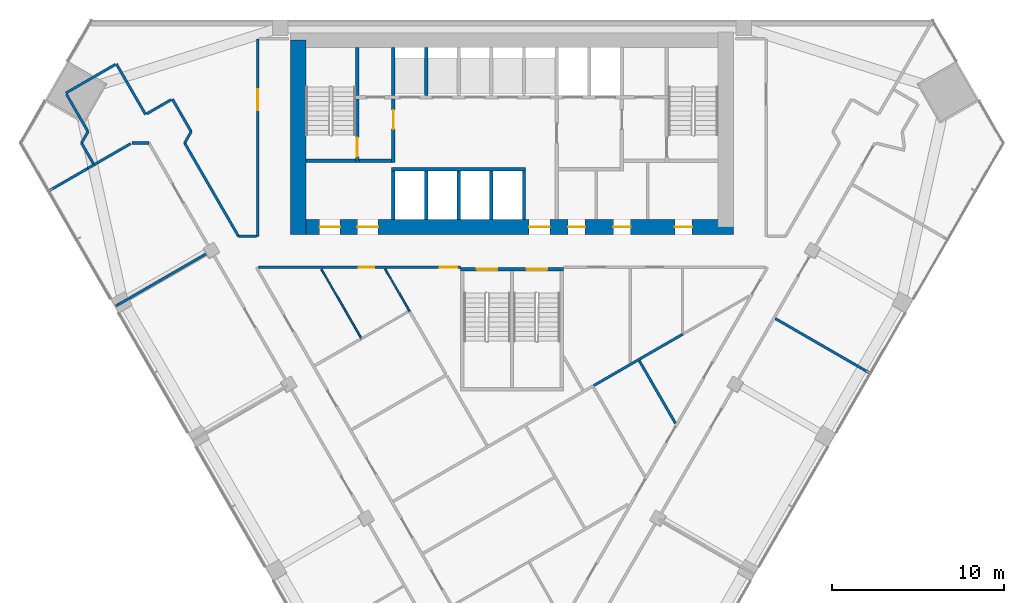
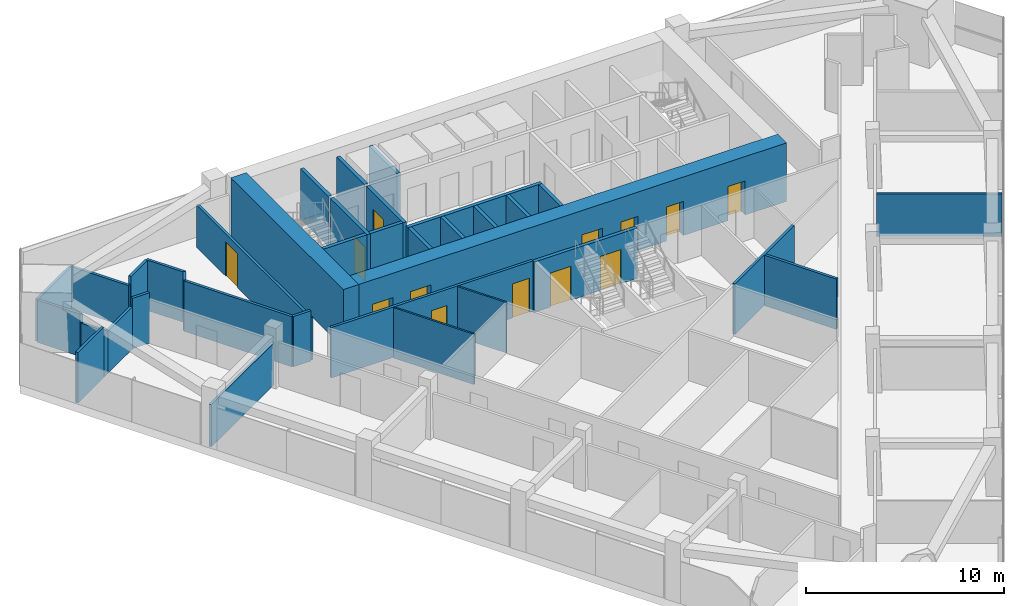
# One storey, part 10 of 14: 38 walls, 13 doors, 13 openings.
"""IFC4 building model written with IfcOpenShell, lengths in metres."""

from ifc_helpers import new_model, si_unit, direction, frame, frame_2d, origin, place, context, subcontext, project, spatial, rectangle, extrude, material, layer, layer_set, type_object, element, fill, save


model = new_model("IFC4")

# Units and contexts
model_context = context("Model", 3, precision=1e-05, world=origin(), true_north=direction((0.0, 1.0)))
body_context = subcontext(model_context, "Body", "Model", "MODEL_VIEW")
ifc_project = project(units=[si_unit("LENGTHUNIT", "METRE"), si_unit("AREAUNIT", "SQUARE_METRE"), si_unit("VOLUMEUNIT", "CUBIC_METRE"), si_unit("PLANEANGLEUNIT", "RADIAN"), si_unit("MASSUNIT", "GRAM", prefix="KILO")], contexts=[model_context])

# Site, building, storey
site_placement = place(None, origin())
site = spatial("IfcSite", under=ifc_project, at=site_placement, CompositionType="ELEMENT")
building_placement = place(site_placement, origin())
building = spatial("IfcBuilding", under=site, at=building_placement, Name="Altiplano Prism Tower", CompositionType="ELEMENT")
storey_placement = place(building_placement, frame((0.0, 0.0, 108.0)))
storey = spatial("IfcBuildingStorey", under=building, at=storey_placement, Name="L27", CompositionType="ELEMENT", Elevation=108.0)

# Wall, openings, doors
ifc_material_1 = material(Name="Concrete C70/85", Category="concrete")
ifc_layer_1 = layer(ifc_material_1, 0.89990234375)
ifc_layer_set_1 = layer_set([ifc_layer_1], Name="Concrete C70/85")
wall_type_1 = type_object("IfcWallType", Name="Core wall 900", PredefinedType="SHEAR", material=ifc_layer_set_1)
wall_1_placement = place(storey_placement, frame((72.550048828125, 92.949951171875, 0.0), z_axis=(0.0, 0.0, 1.0), x_axis=(1.0, 0.0, 0.0)))
wall_1 = element("IfcWall", 1, at=wall_1_placement, inside=storey, type_object=wall_type_1, Name="Core wall S L27", PredefinedType="SHEAR", context=body_context, shape_type="SweptSolid", body=[
    extrude(rectangle(XDim=25.349853515625, YDim=0.89990234375, at=frame_2d((12.6748046875, 0.0))), origin(), (0.0, 0.0, 1.0), 3.60009765625),
])
opening_1_placement = place(wall_1_placement, frame((1.25, 0.0, 0.0)))
opening_1 = element("IfcOpeningElement", 2, at=opening_1_placement, cuts=wall_1, Name="Opening D2951", PredefinedType="OPENING", context=body_context, shape_type="SweptSolid", body=[
    extrude(rectangle(XDim=1.199951171875, YDim=2.10009765625, at=frame_2d((0.60009765625, 1.050048828125))), frame((0.0, 0.46044921875, 0.0), z_axis=(0.0, -1.0, 0.0), x_axis=(1.0, 0.0, 0.0)), (0.0, 0.0, 1.0), 0.9208984375),
])
opening_2_placement = place(wall_1_placement, frame((3.449951171875, 0.0, 0.0)))
opening_2 = element("IfcOpeningElement", 3, at=opening_2_placement, cuts=wall_1, Name="Opening D2952", PredefinedType="OPENING", context=body_context, shape_type="SweptSolid", body=[
    extrude(rectangle(XDim=1.199951171875, YDim=2.10009765625, at=frame_2d((0.60009765625, 1.050048828125))), frame((0.0, 0.46044921875, 0.0), z_axis=(0.0, -1.0, 0.0), x_axis=(1.0, 0.0, 0.0)), (0.0, 0.0, 1.0), 0.9208984375),
])
opening_3_placement = place(wall_1_placement, frame((13.449951171875, 0.0, 0.0)))
opening_3 = element("IfcOpeningElement", 4, at=opening_3_placement, cuts=wall_1, Name="Opening D2953", PredefinedType="OPENING", context=body_context, shape_type="SweptSolid", body=[
    extrude(rectangle(XDim=1.199951171875, YDim=2.10009765625, at=frame_2d((0.60009765625, 1.050048828125))), frame((0.0, 0.46044921875, 0.0), z_axis=(0.0, -1.0, 0.0), x_axis=(1.0, 0.0, 0.0)), (0.0, 0.0, 1.0), 0.9208984375),
])
opening_4_placement = place(wall_1_placement, frame((15.71240234375, 0.0, 0.0)))
opening_4 = element("IfcOpeningElement", 5, at=opening_4_placement, cuts=wall_1, Name="Opening D2956", PredefinedType="OPENING", context=body_context, shape_type="SweptSolid", body=[
    extrude(rectangle(XDim=1.0, YDim=2.10009765625, at=frame_2d((0.5, 1.050048828125))), frame((0.0, 0.46044921875, 0.0), z_axis=(0.0, -1.0, 0.0), x_axis=(1.0, 0.0, 0.0)), (0.0, 0.0, 1.0), 0.9208984375),
])
opening_5_placement = place(wall_1_placement, frame((18.35009765625, 0.0, 0.0)))
opening_5 = element("IfcOpeningElement", 6, at=opening_5_placement, cuts=wall_1, Name="Opening D2957", PredefinedType="OPENING", context=body_context, shape_type="SweptSolid", body=[
    extrude(rectangle(XDim=1.0, YDim=2.10009765625, at=frame_2d((0.5, 1.050048828125))), frame((0.0, 0.46044921875, 0.0), z_axis=(0.0, -1.0, 0.0), x_axis=(1.0, 0.0, 0.0)), (0.0, 0.0, 1.0), 0.9208984375),
])
opening_6_placement = place(wall_1_placement, frame((21.9375, 0.0, 0.0)))
opening_6 = element("IfcOpeningElement", 7, at=opening_6_placement, cuts=wall_1, Name="Opening D2958", PredefinedType="OPENING", context=body_context, shape_type="SweptSolid", body=[
    extrude(rectangle(XDim=1.0, YDim=2.10009765625, at=frame_2d((0.5, 1.050048828125))), frame((0.0, 0.46044921875, 0.0), z_axis=(0.0, -1.0, 0.0), x_axis=(1.0, 0.0, 0.0)), (0.0, 0.0, 1.0), 0.9208984375),
])
ifc_material_2 = material(Name="Fire-rated steel door", Category="steel")
door_type_1 = type_object("IfcDoorType", Name="Core room door 1000 x 2100", OperationType="NOTDEFINED", PredefinedType="NOTDEFINED", material=ifc_material_2)
door_1_placement = place(opening_4_placement, origin())
door_1 = element("IfcDoor", 8, at=door_1_placement, inside=storey, type_object=door_type_1, Name="Core room door D2956", OperationType="SINGLE_SWING_RIGHT", OverallHeight=2.10009765625, OverallWidth=1.0, PredefinedType="NOTDEFINED", context=body_context, shape_type="SweptSolid", body=[
    extrude(rectangle(XDim=1.0, YDim=2.10009765625, at=frame_2d((0.5, 1.050048828125))), frame((0.0, 0.02490234375, 0.0), z_axis=(0.0, -1.0, 0.0), x_axis=(1.0, 0.0, 0.0)), (0.0, 0.0, 1.0), 0.050048828125),
])
fill(opening_4, door_1)
door_2_placement = place(opening_5_placement, origin())
door_2 = element("IfcDoor", 9, at=door_2_placement, inside=storey, type_object=door_type_1, Name="Core room door D2957", OperationType="SINGLE_SWING_LEFT", OverallHeight=2.10009765625, OverallWidth=1.0, PredefinedType="NOTDEFINED", context=body_context, shape_type="SweptSolid", body=[
    extrude(rectangle(XDim=1.0, YDim=2.10009765625, at=frame_2d((0.5, 1.050048828125))), frame((0.0, 0.02490234375, 0.0), z_axis=(0.0, -1.0, 0.0), x_axis=(1.0, 0.0, 0.0)), (0.0, 0.0, 1.0), 0.050048828125),
])
fill(opening_5, door_2)
door_3_placement = place(opening_6_placement, origin())
door_3 = element("IfcDoor", 10, at=door_3_placement, inside=storey, type_object=door_type_1, Name="Core room door D2958", OperationType="SINGLE_SWING_RIGHT", OverallHeight=2.10009765625, OverallWidth=1.0, PredefinedType="NOTDEFINED", context=body_context, shape_type="SweptSolid", body=[
    extrude(rectangle(XDim=1.0, YDim=2.10009765625, at=frame_2d((0.5, 1.050048828125))), frame((0.0, 0.02490234375, 0.0), z_axis=(0.0, -1.0, 0.0), x_axis=(1.0, 0.0, 0.0)), (0.0, 0.0, 1.0), 0.050048828125),
])
fill(opening_6, door_3)
door_type_2 = type_object("IfcDoorType", Name="Lobby fire door 1200 x 2100", OperationType="NOTDEFINED", PredefinedType="NOTDEFINED", material=ifc_material_2)
door_4_placement = place(opening_1_placement, origin())
door_4 = element("IfcDoor", 11, at=door_4_placement, inside=storey, type_object=door_type_2, Name="Lobby fire door D2951", OperationType="SINGLE_SWING_RIGHT", OverallHeight=2.10009765625, OverallWidth=1.199951171875, PredefinedType="NOTDEFINED", context=body_context, shape_type="SweptSolid", body=[
    extrude(rectangle(XDim=1.199951171875, YDim=2.10009765625, at=frame_2d((0.60009765625, 1.050048828125))), frame((0.0, 0.02490234375, 0.0), z_axis=(0.0, -1.0, 0.0), x_axis=(1.0, 0.0, 0.0)), (0.0, 0.0, 1.0), 0.050048828125),
])
fill(opening_1, door_4)
door_5_placement = place(opening_2_placement, origin())
door_5 = element("IfcDoor", 12, at=door_5_placement, inside=storey, type_object=door_type_2, Name="Lobby fire door D2952", OperationType="SINGLE_SWING_LEFT", OverallHeight=2.10009765625, OverallWidth=1.199951171875, PredefinedType="NOTDEFINED", context=body_context, shape_type="SweptSolid", body=[
    extrude(rectangle(XDim=1.199951171875, YDim=2.10009765625, at=frame_2d((0.60009765625, 1.050048828125))), frame((0.0, 0.02490234375, 0.0), z_axis=(0.0, -1.0, 0.0), x_axis=(1.0, 0.0, 0.0)), (0.0, 0.0, 1.0), 0.050048828125),
])
fill(opening_2, door_5)
door_6_placement = place(opening_3_placement, origin())
door_6 = element("IfcDoor", 13, at=door_6_placement, inside=storey, type_object=door_type_2, Name="Lobby fire door D2953", OperationType="SINGLE_SWING_RIGHT", OverallHeight=2.10009765625, OverallWidth=1.199951171875, PredefinedType="NOTDEFINED", context=body_context, shape_type="SweptSolid", body=[
    extrude(rectangle(XDim=1.199951171875, YDim=2.10009765625, at=frame_2d((0.60009765625, 1.050048828125))), frame((0.0, 0.02490234375, 0.0), z_axis=(0.0, -1.0, 0.0), x_axis=(1.0, 0.0, 0.0)), (0.0, 0.0, 1.0), 0.050048828125),
])
fill(opening_3, door_6)

# Walls
wall_2_placement = place(storey_placement, frame((72.550048828125, 103.85009765625, 0.0), z_axis=(0.0, 0.0, 1.0), x_axis=(0.0, -1.0, 0.0)))
element("IfcWall", 14, at=wall_2_placement, inside=storey, type_object=wall_type_1, Name="Core wall W L27", PredefinedType="SHEAR", context=body_context, shape_type="SweptSolid", body=[
    extrude(rectangle(XDim=11.35009765625, YDim=0.89990234375, at=frame_2d((5.675048828125, 0.0))), origin(), (0.0, 0.0, 1.0), 3.60009765625),
])
ifc_material_3 = material(Name="Plasterboard on steel stud", Category="steel")
ifc_layer_2 = layer(ifc_material_3, 0.10009765625)
ifc_layer_set_2 = layer_set([ifc_layer_2], Name="Plasterboard on steel stud")
wall_type_2 = type_object("IfcWallType", Name="Partition 100 wet", PredefinedType="PARTITIONING", material=ifc_layer_set_2)
wall_3_placement = place(storey_placement, frame((79.038330078125, 88.043701171875, 0.0), z_axis=(0.0, 0.0, 1.0), x_axis=(-0.500000709865, 0.866024993943, 0.0)))
element("IfcWall", 15, at=wall_3_placement, inside=storey, type_object=wall_type_2, Name="Partition P03 L27 036", PredefinedType="PARTITIONING", context=body_context, shape_type="SweptSolid", body=[
    extrude(rectangle(XDim=2.83544921875, YDim=0.10009765625, at=frame_2d((1.417724609375, 0.0))), origin(), (0.0, 0.0, 1.0), 3.10009765625),
])
wall_4_placement = place(storey_placement, frame((73.90185546875, 90.499755859375, 0.0), z_axis=(0.0, 0.0, 1.0), x_axis=(0.500008739126, -0.866020358189, 0.0)))
element("IfcWall", 16, at=wall_4_placement, inside=storey, type_object=wall_type_2, Name="Partition P03 L27 038", PredefinedType="PARTITIONING", context=body_context, shape_type="SweptSolid", body=[
    extrude(rectangle(XDim=4.67529296875, YDim=0.10009765625, at=frame_2d((2.337646484375, 0.0))), origin(), (0.0, 0.0, 1.0), 3.10009765625),
])
ifc_layer_3 = layer(ifc_material_3, 0.14990234375)
ifc_layer_set_3 = layer_set([ifc_layer_3], Name="Plasterboard on steel stud")
wall_type_3 = type_object("IfcWallType", Name="Partition 150 corridor", PredefinedType="PARTITIONING", material=ifc_layer_set_3)
wall_5_placement = place(storey_placement, frame((60.654296875, 96.562744140625, 0.0), z_axis=(0.0, 0.0, 1.0), x_axis=(0.86603602817, 0.499981597573, 0.0)))
element("IfcWall", 17, at=wall_5_placement, inside=storey, type_object=wall_type_3, Name="Partition P06 L27 003", PredefinedType="PARTITIONING", context=body_context, shape_type="SweptSolid", body=[
    extrude(rectangle(XDim=2.4736328125, YDim=0.14990234375, at=frame_2d((1.23681640625, 0.0))), origin(), (0.0, 0.0, 1.0), 2.60009765625),
])
wall_6_placement = place(storey_placement, frame((62.865966796875, 97.839599609375, 0.0), z_axis=(0.0, 0.0, 1.0), x_axis=(1.0, 0.0, 0.0)))
element("IfcWall", 18, at=wall_6_placement, inside=storey, type_object=wall_type_3, Name="Partition P06 L27 004", PredefinedType="PARTITIONING", context=body_context, shape_type="SweptSolid", body=[
    extrude(rectangle(XDim=1.000244140625, YDim=0.14990234375, at=frame_2d((0.5, 0.0))), origin(), (0.0, 0.0, 1.0), 3.10009765625),
])

# Wall, opening, door
wall_7_placement = place(storey_placement, frame((70.199951171875, 103.89990234375, 0.0), z_axis=(0.0, 0.0, 1.0), x_axis=(0.0, -1.0, 0.0)))
wall_7 = element("IfcWall", 19, at=wall_7_placement, inside=storey, type_object=wall_type_3, Name="Partition P06 L27 021", PredefinedType="PARTITIONING", context=body_context, shape_type="SweptSolid", body=[
    extrude(rectangle(XDim=11.5, YDim=0.14990234375, at=frame_2d((5.75, 0.0))), origin(), (0.0, 0.0, 1.0), 2.60009765625),
])
opening_7_placement = place(wall_7_placement, frame((2.93896484375, 0.0, 0.0)))
opening_7 = element("IfcOpeningElement", 20, at=opening_7_placement, cuts=wall_7, Name="Opening D1006", PredefinedType="OPENING", context=body_context, shape_type="SweptSolid", body=[
    extrude(rectangle(XDim=1.199951171875, YDim=2.10009765625, at=frame_2d((0.60009765625, 1.050048828125))), frame((0.0, 0.08544921875, 0.0), z_axis=(0.0, -1.0, 0.0), x_axis=(1.0, 0.0, 0.0)), (0.0, 0.0, 1.0), 0.1708984375),
])
ifc_material_4 = material(Name="Timber", Category="wood")
door_type_3 = type_object("IfcDoorType", Name="Shared room door 1200 x 2100", OperationType="NOTDEFINED", PredefinedType="NOTDEFINED", material=ifc_material_4)
door_7_placement = place(opening_7_placement, origin())
door_7 = element("IfcDoor", 21, at=door_7_placement, inside=storey, type_object=door_type_3, Name="Door D1006", OperationType="SINGLE_SWING_RIGHT", OverallHeight=2.10009765625, OverallWidth=1.199951171875, PredefinedType="NOTDEFINED", context=body_context, shape_type="SweptSolid", body=[
    extrude(rectangle(XDim=1.199951171875, YDim=2.10009765625, at=frame_2d((0.60009765625, 1.050048828125))), frame((0.0, 0.02490234375, 0.0), z_axis=(0.0, -1.0, 0.0), x_axis=(1.0, 0.0, 0.0)), (0.0, 0.0, 1.0), 0.050048828125),
])
fill(opening_7, door_7)

# Walls
wall_8_placement = place(storey_placement, frame((70.125, 92.39990234375, 0.0), z_axis=(0.0, 0.0, 1.0), x_axis=(-1.0, 0.0, 0.0)))
element("IfcWall", 22, at=wall_8_placement, inside=storey, type_object=wall_type_3, Name="Partition P06 L27 022", PredefinedType="PARTITIONING", context=body_context, shape_type="SweptSolid", body=[
    extrude(rectangle(XDim=1.039794921875, YDim=0.14990234375, at=frame_2d((0.52001953125, 0.0))), origin(), (0.0, 0.0, 1.0), 3.10009765625),
])
wall_9_placement = place(storey_placement, frame((69.085205078125, 92.39990234375, 0.0), z_axis=(0.0, 0.0, 1.0), x_axis=(-0.500001709782, 0.866024416639, 0.0)))
element("IfcWall", 23, at=wall_9_placement, inside=storey, type_object=wall_type_3, Name="Partition P06 L27 023", PredefinedType="PARTITIONING", context=body_context, shape_type="SweptSolid", body=[
    extrude(rectangle(XDim=6.28125, YDim=0.14990234375, at=frame_2d((3.140625, 0.0))), origin(), (0.0, 0.0, 1.0), 3.10009765625),
])
wall_10_placement = place(storey_placement, frame((65.944580078125, 97.839599609375, 0.0), z_axis=(0.0, 0.0, 1.0), x_axis=(0.50006423267, 0.865988315859, 0.0)))
element("IfcWall", 24, at=wall_10_placement, inside=storey, type_object=wall_type_3, Name="Partition P06 L27 024", PredefinedType="PARTITIONING", context=body_context, shape_type="SweptSolid", body=[
    extrude(rectangle(XDim=0.7626953125, YDim=0.14990234375, at=frame_2d((0.38134765625, 0.0))), origin(), (0.0, 0.0, 1.0), 3.10009765625),
])
wall_11_placement = place(storey_placement, frame((66.325927734375, 98.5, 0.0), z_axis=(0.0, 0.0, 1.0), x_axis=(-0.500005024956, 0.866022502605, 0.0)))
element("IfcWall", 25, at=wall_11_placement, inside=storey, type_object=wall_type_3, Name="Partition P06 L27 025", PredefinedType="PARTITIONING", context=body_context, shape_type="SweptSolid", body=[
    extrude(rectangle(XDim=2.19384765625, YDim=0.14990234375, at=frame_2d((1.096923828125, 0.0))), origin(), (0.0, 0.0, 1.0), 3.10009765625),
])
wall_12_placement = place(storey_placement, frame((65.1640625, 100.362548828125, 0.0), z_axis=(0.0, 0.0, 1.0), x_axis=(-0.866040211805, -0.499974350878, 0.0)))
element("IfcWall", 26, at=wall_12_placement, inside=storey, type_object=wall_type_3, Name="Partition P06 L27 026", PredefinedType="PARTITIONING", context=body_context, shape_type="SweptSolid", body=[
    extrude(rectangle(XDim=1.64990234375, YDim=0.14990234375, at=frame_2d((0.824951171875, 0.0))), origin(), (0.0, 0.0, 1.0), 3.10009765625),
])
wall_13_placement = place(storey_placement, frame((63.670166015625, 99.5, 0.0), z_axis=(0.0, 0.0, 1.0), x_axis=(-0.500031147688, 0.866007419912, 0.0)))
element("IfcWall", 27, at=wall_13_placement, inside=storey, type_object=wall_type_3, Name="Partition P06 L27 027", PredefinedType="PARTITIONING", context=body_context, shape_type="SweptSolid", body=[
    extrude(rectangle(XDim=3.400146484375, YDim=0.14990234375, at=frame_2d((1.7001953125, 0.0))), origin(), (0.0, 0.0, 1.0), 2.60009765625),
])
wall_14_placement = place(storey_placement, frame((61.905029296875, 102.406982421875, 0.0), z_axis=(0.0, 0.0, 1.0), x_axis=(-0.866002163101, -0.500040251884, 0.0)))
element("IfcWall", 28, at=wall_14_placement, inside=storey, type_object=wall_type_3, Name="Partition P06 L27 028", PredefinedType="PARTITIONING", context=body_context, shape_type="SweptSolid", body=[
    extrude(rectangle(XDim=3.324951171875, YDim=0.14990234375, at=frame_2d((1.66259765625, 0.0))), origin(), (0.0, 0.0, 1.0), 2.60009765625),
])
wall_15_placement = place(storey_placement, frame((59.06298828125, 100.679443359375, 0.0), z_axis=(0.0, 0.0, 1.0), x_axis=(0.500072327845, -0.865983641256, 0.0)))
element("IfcWall", 29, at=wall_15_placement, inside=storey, type_object=wall_type_3, Name="Partition P06 L27 029", PredefinedType="PARTITIONING", context=body_context, shape_type="SweptSolid", body=[
    extrude(rectangle(XDim=2.516845703125, YDim=0.14990234375, at=frame_2d((1.25830078125, 0.0))), origin(), (0.0, 0.0, 1.0), 2.60009765625),
])
wall_16_placement = place(storey_placement, frame((60.321533203125, 98.5, 0.0), z_axis=(0.0, 0.0, 1.0), x_axis=(-0.50006423267, -0.865988315859, 0.0)))
element("IfcWall", 30, at=wall_16_placement, inside=storey, type_object=wall_type_3, Name="Partition P06 L27 030", PredefinedType="PARTITIONING", context=body_context, shape_type="SweptSolid", body=[
    extrude(rectangle(XDim=0.7626953125, YDim=0.14990234375, at=frame_2d((0.38134765625, 0.0))), origin(), (0.0, 0.0, 1.0), 2.60009765625),
])
wall_17_placement = place(storey_placement, frame((59.940185546875, 97.839599609375, 0.0), z_axis=(0.0, 0.0, 1.0), x_axis=(0.499961027969, -0.866047903128, 0.0)))
element("IfcWall", 31, at=wall_17_placement, inside=storey, type_object=wall_type_3, Name="Partition P06 L27 031", PredefinedType="PARTITIONING", context=body_context, shape_type="SweptSolid", body=[
    extrude(rectangle(XDim=1.3876953125, YDim=0.14990234375, at=frame_2d((0.69384765625, 0.0))), origin(), (0.0, 0.0, 1.0), 2.60009765625),
])

# Wall, openings, doors
wall_18_placement = place(storey_placement, frame((70.254150390625, 90.60009765625, 0.0), z_axis=(0.0, 0.0, 1.0), x_axis=(0.999999996544, -8.3141069e-05, 0.0)))
wall_18 = element("IfcWall", 32, at=wall_18_placement, inside=storey, type_object=wall_type_3, Name="Partition P06 L27 033", PredefinedType="PARTITIONING", context=body_context, shape_type="SweptSolid", body=[
    extrude(rectangle(XDim=11.745849609375, YDim=0.14990234375, at=frame_2d((5.873046875, 0.0))), origin(), (0.0, 0.0, 1.0), 3.10009765625),
])
opening_8_placement = place(wall_18_placement, frame((5.833984375, 0.0, 0.0)))
opening_8 = element("IfcOpeningElement", 33, at=opening_8_placement, cuts=wall_18, Name="Opening D0992", PredefinedType="OPENING", context=body_context, shape_type="SweptSolid", body=[
    extrude(rectangle(XDim=0.89990234375, YDim=2.10009765625, at=frame_2d((0.449951171875, 1.050048828125))), frame((0.0, 0.08544921875, 0.0), z_axis=(0.0, -1.0, 0.0), x_axis=(1.0, 0.0, 0.0)), (0.0, 0.0, 1.0), 0.1708984375),
])
opening_9_placement = place(wall_18_placement, frame((10.5458984375, 0.0, 0.0)))
opening_9 = element("IfcOpeningElement", 34, at=opening_9_placement, cuts=wall_18, Name="Opening D1011", PredefinedType="OPENING", context=body_context, shape_type="SweptSolid", body=[
    extrude(rectangle(XDim=1.0, YDim=2.10009765625, at=frame_2d((0.5, 1.050048828125))), frame((0.0, 0.08544921875, 0.0), z_axis=(0.0, -1.0, 0.0), x_axis=(1.0, 0.0, 0.0)), (0.0, 0.0, 1.0), 0.1708984375),
])
door_type_4 = type_object("IfcDoorType", Name="Store door 1000 x 2100", OperationType="NOTDEFINED", PredefinedType="NOTDEFINED", material=ifc_material_4)
door_8_placement = place(opening_9_placement, origin())
door_8 = element("IfcDoor", 35, at=door_8_placement, inside=storey, type_object=door_type_4, Name="Door D1011", OperationType="SINGLE_SWING_LEFT", OverallHeight=2.10009765625, OverallWidth=1.0, PredefinedType="NOTDEFINED", context=body_context, shape_type="SweptSolid", body=[
    extrude(rectangle(XDim=1.0, YDim=2.10009765625, at=frame_2d((0.5, 1.050048828125))), frame((0.0, 0.02490234375, 0.0), z_axis=(0.0, -1.0, 0.0), x_axis=(1.0, 0.0, 0.0)), (0.0, 0.0, 1.0), 0.050048828125),
])
fill(opening_9, door_8)
door_type_5 = type_object("IfcDoorType", Name="Toilet door 900 x 2100", OperationType="NOTDEFINED", PredefinedType="NOTDEFINED", material=ifc_material_4)
door_9_placement = place(opening_8_placement, origin())
door_9 = element("IfcDoor", 36, at=door_9_placement, inside=storey, type_object=door_type_5, Name="Door D0992", OperationType="SINGLE_SWING_RIGHT", OverallHeight=2.10009765625, OverallWidth=0.89990234375, PredefinedType="NOTDEFINED", context=body_context, shape_type="SweptSolid", body=[
    extrude(rectangle(XDim=0.89990234375, YDim=2.10009765625, at=frame_2d((0.449951171875, 1.050048828125))), frame((0.0, 0.02490234375, 0.0), z_axis=(0.0, -1.0, 0.0), x_axis=(1.0, 0.0, 0.0)), (0.0, 0.0, 1.0), 0.050048828125),
])
fill(opening_8, door_9)

# Walls
ifc_layer_4 = layer(ifc_material_3, 0.14990234375)
ifc_layer_set_4 = layer_set([ifc_layer_4], Name="Plasterboard on steel stud")
wall_type_4 = type_object("IfcWallType", Name="Partition 150 party", PredefinedType="PARTITIONING", material=ifc_layer_set_4)
wall_19_placement = place(storey_placement, frame((89.766357421875, 83.724609375, 0.0), z_axis=(0.0, 0.0, 1.0), x_axis=(0.866020851292, 0.500007885066, 0.0)))
element("IfcWall", 37, at=wall_19_placement, inside=storey, type_object=wall_type_4, Name="Partition P01 L27 042", PredefinedType="PARTITIONING", context=body_context, shape_type="SweptSolid", body=[
    extrude(rectangle(XDim=5.97265625, YDim=0.14990234375, at=frame_2d((2.986328125, 0.0))), origin(), (0.0, 0.0, 1.0), 3.10009765625),
])
wall_20_placement = place(storey_placement, frame((61.949951171875, 88.358642578125, 0.0), z_axis=(0.0, 0.0, 1.0), x_axis=(0.866015887322, 0.500016482634, 0.0)))
element("IfcWall", 38, at=wall_20_placement, inside=storey, type_object=wall_type_4, Name="Partition P01 L27 043", PredefinedType="PARTITIONING", context=body_context, shape_type="SweptSolid", body=[
    extrude(rectangle(XDim=6.324951171875, YDim=0.14990234375, at=frame_2d((3.16259765625, 0.0))), origin(), (0.0, 0.0, 1.0), 2.60009765625),
])
wall_21_placement = place(storey_placement, frame((60.671630859375, 96.57275390625, 0.0), z_axis=(0.0, 0.0, 1.0), x_axis=(-0.866088799389, -0.499890179513, 0.0)))
element("IfcWall", 39, at=wall_21_placement, inside=storey, type_object=wall_type_4, Name="Partition P01 L27 044", PredefinedType="PARTITIONING", context=body_context, shape_type="SweptSolid", body=[
    extrude(rectangle(XDim=0.419921875, YDim=0.14990234375, at=frame_2d((0.2099609375, 0.0))), origin(), (0.0, 0.0, 1.0), 2.60009765625),
])
wall_22_placement = place(storey_placement, frame((60.307861328125, 96.36279296875, 0.0), z_axis=(0.0, 0.0, 1.0), x_axis=(-0.866021702275, -0.500006411147, 0.0)))
element("IfcWall", 40, at=wall_22_placement, inside=storey, type_object=wall_type_4, Name="Partition P01 L27 045", PredefinedType="PARTITIONING", context=body_context, shape_type="SweptSolid", body=[
    extrude(rectangle(XDim=2.580078125, YDim=0.14990234375, at=frame_2d((1.2900390625, 0.0))), origin(), (0.0, 0.0, 1.0), 3.10009765625),
])
wall_23_placement = place(storey_placement, frame((105.800048828125, 84.46142578125, 0.0), z_axis=(0.0, 0.0, 1.0), x_axis=(-0.866015887322, 0.500016482634, 0.0)))
element("IfcWall", 41, at=wall_23_placement, inside=storey, type_object=wall_type_4, Name="Partition P01 L27 053", PredefinedType="PARTITIONING", context=body_context, shape_type="SweptSolid", body=[
    extrude(rectangle(XDim=6.324951171875, YDim=0.14990234375, at=frame_2d((3.16259765625, 0.0))), origin(), (0.0, 0.0, 1.0), 2.60009765625),
])
wall_24_placement = place(storey_placement, frame((92.410888671875, 85.1650390625, 0.0), z_axis=(0.0, 0.0, 1.0), x_axis=(0.499974224157, -0.866040284963, 0.0)))
element("IfcWall", 42, at=wall_24_placement, inside=storey, type_object=wall_type_4, Name="Partition P01 L27 066", PredefinedType="PARTITIONING", context=body_context, shape_type="SweptSolid", body=[
    extrude(rectangle(XDim=4.197021484375, YDim=0.14990234375, at=frame_2d((2.0986328125, 0.0))), origin(), (0.0, 0.0, 1.0), 3.10009765625),
])
ifc_material_5 = material(Name="Concrete C60/75", Category="concrete")
ifc_layer_5 = layer(ifc_material_5, 0.199951171875)
ifc_layer_set_5 = layer_set([ifc_layer_5], Name="Concrete C60/75")
wall_type_5 = type_object("IfcWallType", Name="Shaft wall 200", PredefinedType="SOLIDWALL", material=ifc_layer_set_5)
for number, where, z_axis, x_axis, name in (
    (43, (78.10009765625, 93.39990234375, 0.0), (0.0, 0.0, 1.0), (0.0, 1.0, 0.0), "Shaft wall L27"),
    (44, (80.0, 93.39990234375, 0.0), (0.0, 0.0, 1.0), (0.0, 1.0, 0.0), "Shaft wall L27"),
    (45, (81.89990234375, 93.39990234375, 0.0), (0.0, 0.0, 1.0), (0.0, 1.0, 0.0), "Shaft wall L27"),
    (46, (83.800048828125, 93.39990234375, 0.0), (0.0, 0.0, 1.0), (0.0, 1.0, 0.0), "Shaft wall L27"),
    (47, (85.699951171875, 93.39990234375, 0.0), (0.0, 0.0, 1.0), (0.0, 1.0, 0.0), "Shaft wall L27"),
):
    element("IfcWall", number, at=place(storey_placement, frame(where, z_axis=z_axis, x_axis=x_axis)), inside=storey, type_object=wall_type_5, Name=name, PredefinedType="SOLIDWALL", context=body_context, shape_type="SweptSolid", body=[
        extrude(rectangle(XDim=2.800048828125, YDim=0.199951171875, at=frame_2d((1.39990234375, 0.0))), origin(), (0.0, 0.0, 1.0), 3.10009765625),
    ])
wall_25_placement = place(storey_placement, frame((78.0, 96.300048828125, 0.0), z_axis=(0.0, 0.0, 1.0), x_axis=(1.0, 0.0, 0.0)))
element("IfcWall", 48, at=wall_25_placement, inside=storey, type_object=wall_type_5, Name="Shaft wall L27", PredefinedType="SOLIDWALL", context=body_context, shape_type="SweptSolid", body=[
    extrude(rectangle(XDim=7.800048828125, YDim=0.199951171875, at=frame_2d((3.89990234375, 0.0))), origin(), (0.0, 0.0, 1.0), 3.10009765625),
])
for number, where, z_axis, x_axis, name in (
    (49, (78.10009765625, 100.60009765625, 0.0), (0.0, 0.0, 1.0), (0.0, 1.0, 0.0), "Shaft wall L27"),
    (50, (80.0, 100.60009765625, 0.0), (0.0, 0.0, 1.0), (0.0, 1.0, 0.0), "Shaft wall L27"),
):
    element("IfcWall", number, at=place(storey_placement, frame(where, z_axis=z_axis, x_axis=x_axis)), inside=storey, type_object=wall_type_5, Name=name, PredefinedType="SOLIDWALL", context=body_context, shape_type="SweptSolid", body=[
        extrude(rectangle(XDim=2.7998046875, YDim=0.199951171875, at=frame_2d((1.39990234375, 0.0))), origin(), (0.0, 0.0, 1.0), 3.10009765625),
    ])
ifc_layer_6 = layer(ifc_material_5, 0.199951171875)
ifc_layer_set_6 = layer_set([ifc_layer_6], Name="Concrete C60/75")
wall_type_6 = type_object("IfcWallType", Name="Stair wall 200", PredefinedType="SOLIDWALL", material=ifc_layer_set_6)
wall_26_placement = place(storey_placement, frame((73.0, 96.800048828125, 0.0), z_axis=(0.0, 0.0, 1.0), x_axis=(1.0, 0.0, 0.0)))
element("IfcWall", 51, at=wall_26_placement, inside=storey, type_object=wall_type_6, Name="Stair wall L27", PredefinedType="SOLIDWALL", context=body_context, shape_type="SweptSolid", body=[
    extrude(rectangle(XDim=2.89990234375, YDim=0.199951171875, at=frame_2d((1.449951171875, 0.0))), origin(), (0.0, 0.0, 1.0), 3.10009765625),
])

# Wall, opening, door
wall_27_placement = place(storey_placement, frame((76.0, 96.699951171875, 0.0), z_axis=(0.0, 0.0, 1.0), x_axis=(0.0, 1.0, 0.0)))
wall_27 = element("IfcWall", 52, at=wall_27_placement, inside=storey, type_object=wall_type_6, Name="Stair wall L27", PredefinedType="SOLIDWALL", context=body_context, shape_type="SweptSolid", body=[
    extrude(rectangle(XDim=3.699951171875, YDim=0.199951171875, at=frame_2d((1.85009765625, 0.0))), origin(), (0.0, 0.0, 1.0), 3.10009765625),
])
opening_10_placement = place(wall_27_placement, frame((0.35009765625, 0.0, 0.0)))
opening_10 = element("IfcOpeningElement", 53, at=opening_10_placement, cuts=wall_27, Name="Opening D2946", PredefinedType="OPENING", context=body_context, shape_type="SweptSolid", body=[
    extrude(rectangle(XDim=1.10009765625, YDim=2.10009765625, at=frame_2d((0.550048828125, 1.050048828125))), frame((0.0, 0.1103515625, 0.0), z_axis=(0.0, -1.0, 0.0), x_axis=(1.0, 0.0, 0.0)), (0.0, 0.0, 1.0), 0.220947265625),
])
door_type_6 = type_object("IfcDoorType", Name="Stair fire door 1100 x 2100", OperationType="NOTDEFINED", PredefinedType="NOTDEFINED", material=ifc_material_2)
door_10_placement = place(opening_10_placement, origin())
door_10 = element("IfcDoor", 54, at=door_10_placement, inside=storey, type_object=door_type_6, Name="Stair fire door D2946", OperationType="SINGLE_SWING_RIGHT", OverallHeight=2.10009765625, OverallWidth=1.10009765625, PredefinedType="NOTDEFINED", context=body_context, shape_type="SweptSolid", body=[
    extrude(rectangle(XDim=1.10009765625, YDim=2.10009765625, at=frame_2d((0.550048828125, 1.050048828125))), frame((0.0, 0.02490234375, 0.0), z_axis=(0.0, -1.0, 0.0), x_axis=(1.0, 0.0, 0.0)), (0.0, 0.0, 1.0), 0.050048828125),
])
fill(opening_10, door_10)

# Wall
wall_28_placement = place(storey_placement, frame((76.0, 100.60009765625, 0.0), z_axis=(0.0, 0.0, 1.0), x_axis=(0.0, 1.0, 0.0)))
element("IfcWall", 55, at=wall_28_placement, inside=storey, type_object=wall_type_6, Name="Stair wall L27", PredefinedType="SOLIDWALL", context=body_context, shape_type="SweptSolid", body=[
    extrude(rectangle(XDim=2.7998046875, YDim=0.199951171875, at=frame_2d((1.39990234375, 0.0))), origin(), (0.0, 0.0, 1.0), 3.10009765625),
])

# Wall, openings, doors
wall_29_placement = place(storey_placement, frame((82.0, 90.5, 0.0), z_axis=(0.0, 0.0, 1.0), x_axis=(1.0, 0.0, 0.0)))
wall_29 = element("IfcWall", 56, at=wall_29_placement, inside=storey, type_object=wall_type_6, Name="Stair 3 wall north L27", PredefinedType="SOLIDWALL", context=body_context, shape_type="SweptSolid", body=[
    extrude(rectangle(XDim=6.0, YDim=0.199951171875, at=frame_2d((3.0, 0.0))), origin(), (0.0, 0.0, 1.0), 3.10009765625),
])
opening_11_placement = place(wall_29_placement, frame((0.949951171875, 0.0, 0.0)))
opening_11 = element("IfcOpeningElement", 57, at=opening_11_placement, cuts=wall_29, Name="Opening D3976", PredefinedType="OPENING", context=body_context, shape_type="SweptSolid", body=[
    extrude(rectangle(XDim=1.199951171875, YDim=2.10009765625, at=frame_2d((0.60009765625, 1.050048828125))), frame((0.0, 0.1103515625, 0.0), z_axis=(0.0, -1.0, 0.0), x_axis=(1.0, 0.0, 0.0)), (0.0, 0.0, 1.0), 0.220947265625),
])
opening_12_placement = place(wall_29_placement, frame((3.85009765625, 0.0, 0.0)))
opening_12 = element("IfcOpeningElement", 58, at=opening_12_placement, cuts=wall_29, Name="Opening D3977", PredefinedType="OPENING", context=body_context, shape_type="SweptSolid", body=[
    extrude(rectangle(XDim=1.199951171875, YDim=2.10009765625, at=frame_2d((0.60009765625, 1.050048828125))), frame((0.0, 0.1103515625, 0.0), z_axis=(0.0, -1.0, 0.0), x_axis=(1.0, 0.0, 0.0)), (0.0, 0.0, 1.0), 0.220947265625),
])
door_type_7 = type_object("IfcDoorType", Name="Stair fire door 1200 x 2100", OperationType="NOTDEFINED", PredefinedType="NOTDEFINED", material=ifc_material_2)
door_11_placement = place(opening_11_placement, origin())
door_11 = element("IfcDoor", 59, at=door_11_placement, inside=storey, type_object=door_type_7, Name="Stair fire door D3976", OperationType="SINGLE_SWING_LEFT", OverallHeight=2.10009765625, OverallWidth=1.199951171875, PredefinedType="NOTDEFINED", context=body_context, shape_type="SweptSolid", body=[
    extrude(rectangle(XDim=1.199951171875, YDim=2.10009765625, at=frame_2d((0.60009765625, 1.050048828125))), frame((0.0, 0.02490234375, 0.0), z_axis=(0.0, -1.0, 0.0), x_axis=(1.0, 0.0, 0.0)), (0.0, 0.0, 1.0), 0.050048828125),
])
fill(opening_11, door_11)
door_12_placement = place(opening_12_placement, origin())
door_12 = element("IfcDoor", 60, at=door_12_placement, inside=storey, type_object=door_type_7, Name="Stair fire door D3977", OperationType="SINGLE_SWING_LEFT", OverallHeight=2.10009765625, OverallWidth=1.199951171875, PredefinedType="NOTDEFINED", context=body_context, shape_type="SweptSolid", body=[
    extrude(rectangle(XDim=1.199951171875, YDim=2.10009765625, at=frame_2d((0.60009765625, 1.050048828125))), frame((0.0, 0.02490234375, 0.0), z_axis=(0.0, -1.0, 0.0), x_axis=(1.0, 0.0, 0.0)), (0.0, 0.0, 1.0), 0.050048828125),
])
fill(opening_12, door_12)

# Wall
ifc_layer_7 = layer(ifc_material_5, 0.199951171875)
ifc_layer_set_7 = layer_set([ifc_layer_7], Name="Concrete C60/75")
wall_type_7 = type_object("IfcWallType", Name="Vestibule wall 200", PredefinedType="PARTITIONING", material=ifc_layer_set_7)
wall_30_placement = place(storey_placement, frame((76.10009765625, 96.800048828125, 0.0), z_axis=(0.0, 0.0, 1.0), x_axis=(1.0, 0.0, 0.0)))
element("IfcWall", 61, at=wall_30_placement, inside=storey, type_object=wall_type_7, Name="Vestibule wall L27", PredefinedType="PARTITIONING", context=body_context, shape_type="SweptSolid", body=[
    extrude(rectangle(XDim=1.89990234375, YDim=0.199951171875, at=frame_2d((0.949951171875, 0.0))), origin(), (0.0, 0.0, 1.0), 3.10009765625),
])

# Wall, opening, door
wall_31_placement = place(storey_placement, frame((78.10009765625, 96.699951171875, 0.0), z_axis=(0.0, 0.0, 1.0), x_axis=(0.0, 1.0, 0.0)))
wall_31 = element("IfcWall", 62, at=wall_31_placement, inside=storey, type_object=wall_type_7, Name="Vestibule wall L27", PredefinedType="PARTITIONING", context=body_context, shape_type="SweptSolid", body=[
    extrude(rectangle(XDim=3.699951171875, YDim=0.199951171875, at=frame_2d((1.85009765625, 0.0))), origin(), (0.0, 0.0, 1.0), 3.10009765625),
])
opening_13_placement = place(wall_31_placement, frame((1.949951171875, 0.0, 0.0)))
opening_13 = element("IfcOpeningElement", 63, at=opening_13_placement, cuts=wall_31, Name="Opening D2948", PredefinedType="OPENING", context=body_context, shape_type="SweptSolid", body=[
    extrude(rectangle(XDim=1.10009765625, YDim=2.10009765625, at=frame_2d((0.550048828125, 1.050048828125))), frame((0.0, 0.1103515625, 0.0), z_axis=(0.0, -1.0, 0.0), x_axis=(1.0, 0.0, 0.0)), (0.0, 0.0, 1.0), 0.220947265625),
])
door_type_8 = type_object("IfcDoorType", Name="Vestibule fire door 1100 x 2100", OperationType="NOTDEFINED", PredefinedType="NOTDEFINED", material=ifc_material_2)
door_13_placement = place(opening_13_placement, origin())
door_13 = element("IfcDoor", 64, at=door_13_placement, inside=storey, type_object=door_type_8, Name="Vestibule fire door D2948", OperationType="SINGLE_SWING_LEFT", OverallHeight=2.10009765625, OverallWidth=1.10009765625, PredefinedType="NOTDEFINED", context=body_context, shape_type="SweptSolid", body=[
    extrude(rectangle(XDim=1.10009765625, YDim=2.10009765625, at=frame_2d((0.550048828125, 1.050048828125))), frame((0.0, 0.02490234375, 0.0), z_axis=(0.0, -1.0, 0.0), x_axis=(1.0, 0.0, 0.0)), (0.0, 0.0, 1.0), 0.050048828125),
])
fill(opening_13, door_13)

save(model, "model.ifc")
